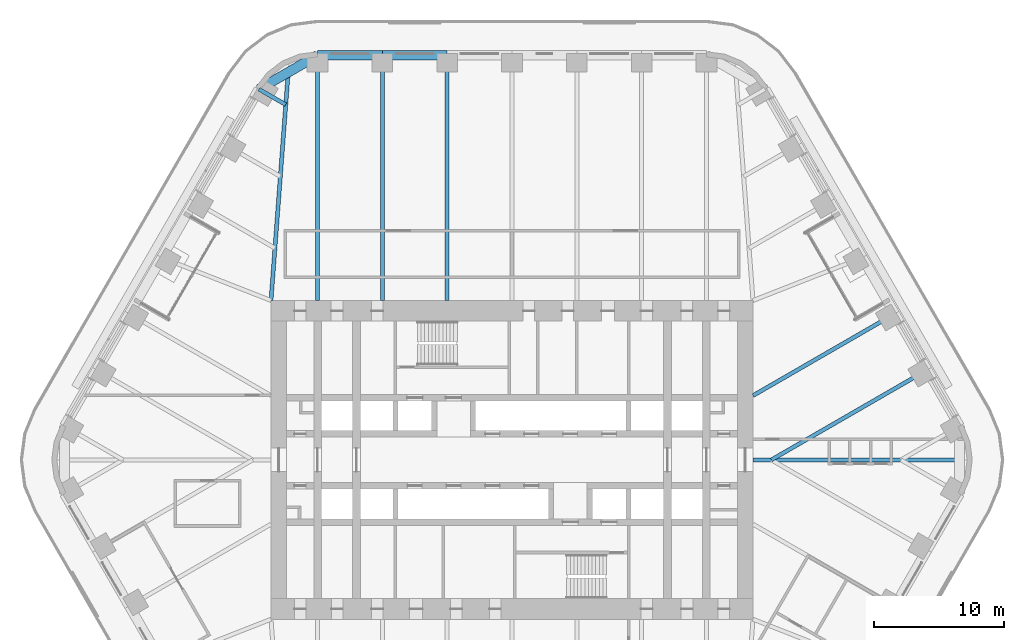
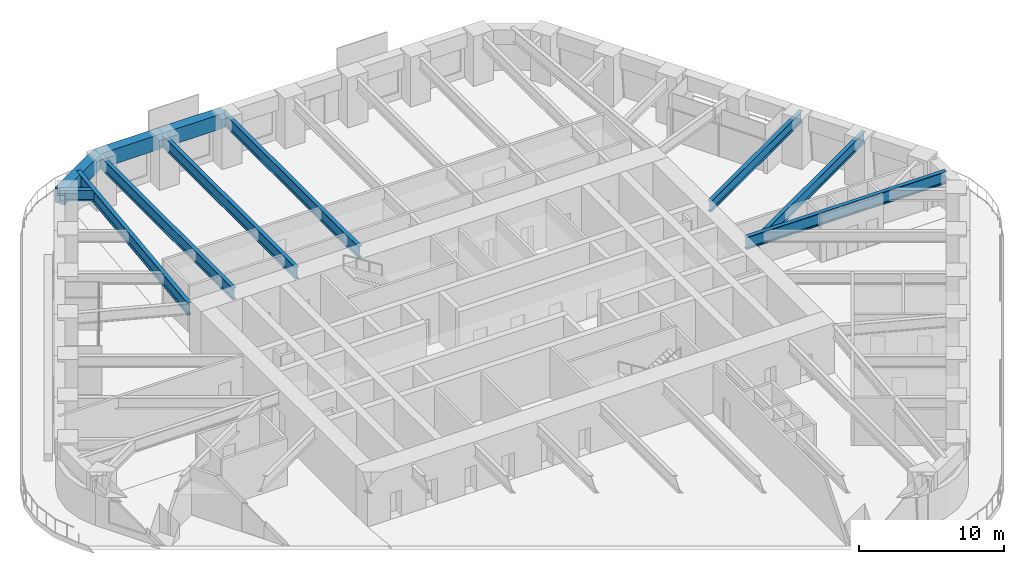
# One storey, part 10 of 24: 11 beams.
"""IFC4 building model written with IfcOpenShell, lengths in metres."""

from ifc_helpers import new_model, si_unit, direction, frame, origin, origin_2d, place, context, subcontext, project, spatial, rectangle, i_section, extrude, material, material_profile, profile_set, type_object, element, save


model = new_model("IFC4")

# Units and contexts
model_context = context("Model", 3, precision=1e-05, world=origin(), true_north=direction((0.0, 1.0)))
body_context = subcontext(model_context, "Body", "Model", "MODEL_VIEW")
ifc_project = project(units=[si_unit("LENGTHUNIT", "METRE"), si_unit("AREAUNIT", "SQUARE_METRE"), si_unit("VOLUMEUNIT", "CUBIC_METRE"), si_unit("PLANEANGLEUNIT", "RADIAN"), si_unit("MASSUNIT", "GRAM", prefix="KILO")], contexts=[model_context])

# Site, building, storey
site_placement = place(None, origin())
site = spatial("IfcSite", under=ifc_project, at=site_placement, CompositionType="ELEMENT")
building_placement = place(site_placement, origin())
building = spatial("IfcBuilding", under=site, at=building_placement, Name="Tarfa Lantern Tower", CompositionType="ELEMENT")
storey_placement = place(building_placement, frame((0.0, 0.0, 161.5)))
storey = spatial("IfcBuildingStorey", under=building, at=storey_placement, Name="L36", CompositionType="ELEMENT", Elevation=161.5)

# Beams
ifc_material_1 = material(Name="Concrete C80/95", Category="concrete")
ifc_material_profile_1 = material_profile(ifc_material_1, rectangle(XDim=0.75, YDim=1.25, at=origin_2d()), Name="RC 750x1250")
ifc_profile_set_1 = profile_set([ifc_material_profile_1], Name="Concrete C80/95")
beam_type_1 = type_object("IfcBeamType", Name="EB2 RC 750x1250", PredefinedType="SPANDREL", material=ifc_profile_set_1)
for number, where, z_axis, x_axis, name in (
    (1, (-5.003662109375, 31.219970703125, 3.375), (-1.0, 0.0, 0.0), (0.0, -1.0, 0.0), "Edge beam N4"),
    (2, (-10.00732421875, 31.219970703125, 3.375), (-1.0, 0.0, 0.0), (0.0, -1.0, 0.0), "Edge beam N5"),
):
    element("IfcBeam", number, at=place(storey_placement, frame(where, z_axis=z_axis, x_axis=x_axis)), inside=storey, type_object=beam_type_1, Name=name, PredefinedType="SPANDREL", context=body_context, shape_type="SweptSolid", body=[
        extrude(rectangle(XDim=0.75, YDim=1.25, at=origin_2d()), origin(), (0.0, 0.0, 1.0), 5.003662109375),
    ])
beam_1_placement = place(storey_placement, frame((-15.010986328125, 31.219970703125, 3.375), z_axis=(-0.86604150238, -0.499972115377, 0.0), x_axis=(0.499972115377, -0.86604150238, 0.0)))
element("IfcBeam", 3, at=beam_1_placement, inside=storey, type_object=beam_type_1, Name="Edge beam N6", PredefinedType="SPANDREL", context=body_context, shape_type="SweptSolid", body=[
    extrude(rectangle(XDim=0.75, YDim=1.25, at=origin_2d()), origin(), (0.0, 0.0, 1.0), 5.219970703125),
])
ifc_material_2 = material(Name="Steel S460M", Category="steel")
ifc_material_profile_2 = material_profile(ifc_material_2, i_section(OverallWidth=0.302001953125, OverallDepth=1.008056640625, WebThickness=0.02099609375, FlangeThickness=0.0400390625, FilletRadius=0.030029296875, at=origin_2d()), Name="UB1016x305x349")
ifc_profile_set_2 = profile_set([ifc_material_profile_2], Name="Steel S460M")
beam_type_2 = type_object("IfcBeamType", Name="UB1016x305x349", PredefinedType="BEAM", material=ifc_profile_set_2)
for number, where, z_axis, x_axis, name in (
    (4, (-5.003662109375, 31.219970703125, 3.495849609375), (0.0, -1.0, 0.0), (1.0, 0.0, 0.0), "Floor beam N4"),
    (5, (-10.00732421875, 31.219970703125, 3.495849609375), (0.0, -1.0, 0.0), (1.0, 0.0, 0.0), "Floor beam N5"),
    (6, (-15.010986328125, 31.219970703125, 3.495849609375), (0.0, -1.0, 0.0), (1.0, 0.0, 0.0), "Floor beam N6"),
):
    element("IfcBeam", number, at=place(storey_placement, frame(where, z_axis=z_axis, x_axis=x_axis)), inside=storey, type_object=beam_type_2, Name=name, PredefinedType="BEAM", context=body_context, shape_type="SweptSolid", body=[
        extrude(i_section(OverallWidth=0.302001953125, OverallDepth=1.008056640625, WebThickness=0.02099609375, FlangeThickness=0.0400390625, FilletRadius=0.030029296875, at=origin_2d()), origin(), (0.0, 0.0, 1.0), 18.919921875),
    ])
ifc_material_profile_3 = material_profile(ifc_material_2, i_section(OverallWidth=0.30859375, OverallDepth=1.036376953125, WebThickness=0.030029296875, FlangeThickness=0.05419921875, FilletRadius=0.030029296875, at=origin_2d()), Name="UB1016x305x487")
ifc_profile_set_3 = profile_set([ifc_material_profile_3], Name="Steel S460M")
beam_type_3 = type_object("IfcBeamType", Name="UB1016x305x487", PredefinedType="BEAM", material=ifc_profile_set_3)
beam_2_placement = place(storey_placement, frame((18.60009765625, 0.0, 3.48193359375), z_axis=(1.0, 0.0, 0.0), x_axis=(0.0, 1.0, 0.0)))
element("IfcBeam", 7, at=beam_2_placement, inside=storey, type_object=beam_type_3, Name="Hip girder E", PredefinedType="BEAM", context=body_context, shape_type="SweptSolid", body=[
    extrude(i_section(OverallWidth=0.30859375, OverallDepth=1.036376953125, WebThickness=0.030029296875, FlangeThickness=0.05419921875, FilletRadius=0.030029296875, at=origin_2d()), origin(), (0.0, 0.0, 1.0), 15.94287109375),
])
beam_3_placement = place(storey_placement, frame((-18.60009765625, 12.300048828125, 3.48193359375), z_axis=(0.075211516041, 0.99716760269, 0.0), x_axis=(-0.99716760269, 0.075211516041, 0.0)))
element("IfcBeam", 8, at=beam_3_placement, inside=storey, type_object=beam_type_3, Name="Hip girder NW", PredefinedType="BEAM", context=body_context, shape_type="SweptSolid", body=[
    extrude(i_section(OverallWidth=0.30859375, OverallDepth=1.036376953125, WebThickness=0.030029296875, FlangeThickness=0.05419921875, FilletRadius=0.030029296875, at=origin_2d()), origin(), (0.0, 0.0, 1.0), 17.6650390625),
])
ifc_material_profile_4 = material_profile(ifc_material_2, i_section(OverallWidth=0.305419921875, OverallDepth=0.91845703125, WebThickness=0.017333984375, FlangeThickness=0.02783203125, FilletRadius=0.01904296875, at=origin_2d()), Name="UB914x305x253")
ifc_profile_set_4 = profile_set([ifc_material_profile_4], Name="Steel S460M")
beam_type_4 = type_object("IfcBeamType", Name="UB914x305x253", PredefinedType="BEAM", material=ifc_profile_set_4)
beam_4_placement = place(storey_placement, frame((32.041015625, 6.943359375, 3.540771484375), z_axis=(-0.866023096411, -0.500003996466, 0.0), x_axis=(0.500003996466, -0.866023096411, 0.0)))
element("IfcBeam", 9, at=beam_4_placement, inside=storey, type_object=beam_type_4, Name="Floor beam NE1", PredefinedType="BEAM", context=body_context, shape_type="SweptSolid", body=[
    extrude(i_section(OverallWidth=0.305419921875, OverallDepth=0.91845703125, WebThickness=0.017333984375, FlangeThickness=0.02783203125, FilletRadius=0.01904296875, at=origin_2d()), origin(), (0.0, 0.0, 1.0), 13.88671875),
])
beam_5_placement = place(storey_placement, frame((29.5390625, 11.276611328125, 3.540771484375), z_axis=(-0.866023362995, -0.500003534735, 0.0), x_axis=(0.500003534735, -0.866023362995, 0.0)))
element("IfcBeam", 10, at=beam_5_placement, inside=storey, type_object=beam_type_4, Name="Floor beam NE2", PredefinedType="BEAM", context=body_context, shape_type="SweptSolid", body=[
    extrude(i_section(OverallWidth=0.305419921875, OverallDepth=0.91845703125, WebThickness=0.017333984375, FlangeThickness=0.02783203125, FilletRadius=0.01904296875, at=origin_2d()), origin(), (0.0, 0.0, 1.0), 12.63134765625),
])
beam_6_placement = place(storey_placement, frame((-19.53173828125, 28.610107421875, 3.540771484375), z_axis=(0.865998640954, -0.500046351717, 0.0), x_axis=(0.500046351717, 0.865998640954, 0.0)))
element("IfcBeam", 11, at=beam_6_placement, inside=storey, type_object=beam_type_4, Name="Floor beam NW0", PredefinedType="BEAM", context=body_context, shape_type="SweptSolid", body=[
    extrude(i_section(OverallWidth=0.305419921875, OverallDepth=0.91845703125, WebThickness=0.017333984375, FlangeThickness=0.02783203125, FilletRadius=0.01904296875, at=origin_2d()), origin(), (0.0, 0.0, 1.0), 2.392333984375),
])

save(model, "model.ifc")
